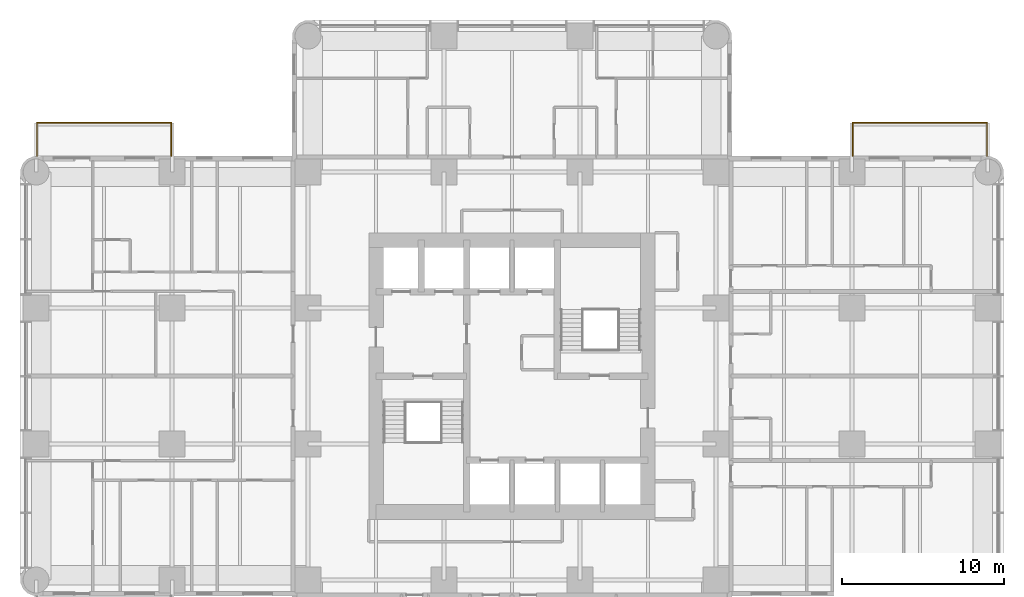
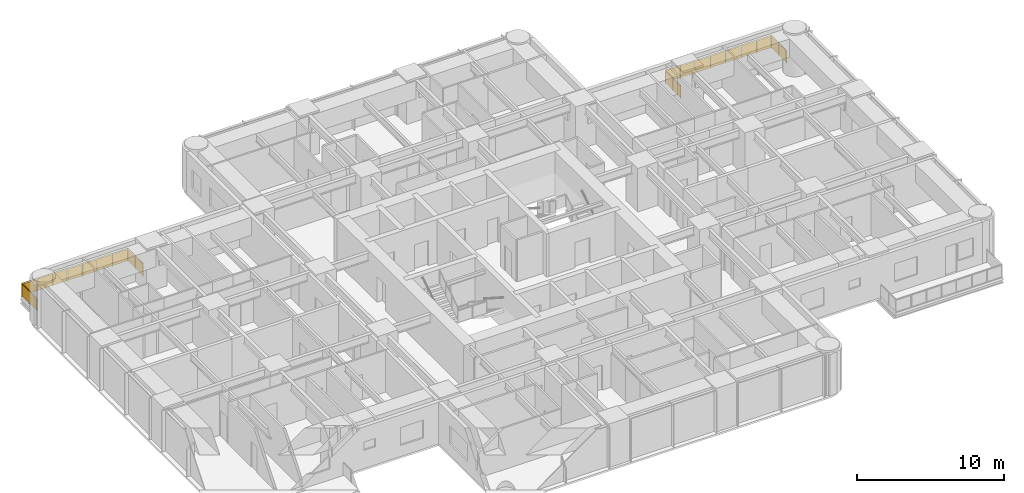
# One storey, part 14 of 14: 2 railings.
"""IFC4 building model written with IfcOpenShell, lengths in metres."""

import ifcopenshell
import ifcopenshell.guid

model = None  # the IFC model being written
_history = None  # IfcOwnerHistory: only IFC2X3 demands one
_inside = {}  # id of a spatial element -> (the spatial element, [elements in it])
_under = {}  # id of a project, library or spatial element -> (it, [spatial elements below it])
_declared = {}  # id of a project -> (the project, [libraries it declares])
_typed = {}  # id of a type object -> (the type object, [elements of that type])
_made_of = {}  # id of a material, layer set ... -> (it, [elements and type objects made of it])


def new_model(schema):
    """Start an empty IFC model of exactly this schema.

    Asked for "IFC4X3", IfcOpenShell would pick the latest addendum, in which some entities
    have other attributes; the version numbers below select the first issue.
    IFC2X3 requires an IfcOwnerHistory on every rooted entity: one is made here for all.
    """
    global model, _history
    if schema == "IFC4X3":
        model = ifcopenshell.file(schema_version=(4, 3, 0, 0))
    else:
        model = ifcopenshell.file(schema=schema)
    _inside.clear()
    _under.clear()
    _declared.clear()
    _typed.clear()
    _made_of.clear()
    _history = None
    if model.schema == "IFC2X3":
        org = make("IfcOrganization", Name="unknown")
        user = make(
            "IfcPersonAndOrganization",
            ThePerson=make("IfcPerson", FamilyName="unknown"),
            TheOrganization=org,
        )
        app = make(
            "IfcApplication",
            ApplicationDeveloper=org,
            Version="unknown",
            ApplicationFullName="unknown",
            ApplicationIdentifier="unknown",
        )
        _history = make(
            "IfcOwnerHistory",
            OwningUser=user,
            OwningApplication=app,
            ChangeAction="ADDED",
            CreationDate=0,
        )
    return model


def make(cls, **values):
    """One entity of the class cls with the attributes given. An attribute that is None is left unset."""
    return model.create_entity(
        cls, **{name: value for name, value in values.items() if value is not None}
    )


def rooted(cls, **values):
    """An entity with a GlobalId (a new one), such as an element, a storey or a relation."""
    return make(cls, GlobalId=ifcopenshell.guid.new(), OwnerHistory=_history, **values)


def si_unit(unit_type, name, prefix=None):
    """IfcSIUnit, for example si_unit("LENGTHUNIT", "METRE", prefix="MILLI")."""
    return make("IfcSIUnit", UnitType=unit_type, Prefix=prefix, Name=name)


def assignment(units):
    """IfcUnitAssignment: the units of a project."""
    return None if units is None else make("IfcUnitAssignment", Units=units)


def point(xyz):
    """IfcCartesianPoint."""
    return None if xyz is None else make("IfcCartesianPoint", Coordinates=xyz)


def direction(xyz):
    """IfcDirection."""
    return None if xyz is None else make("IfcDirection", DirectionRatios=xyz)


def frame(location, z_axis=None, x_axis=None):
    """IfcAxis2Placement3D, a coordinate frame: its origin and axes. An axis left out is left unset."""
    return make(
        "IfcAxis2Placement3D",
        Location=point(location),
        Axis=direction(z_axis),
        RefDirection=direction(x_axis),
    )


def frame_2d(location, x_axis=None):
    """IfcAxis2Placement2D, a coordinate frame in the plane: its origin and x axis."""
    return make(
        "IfcAxis2Placement2D", Location=point(location), RefDirection=direction(x_axis)
    )


def origin():
    """The frame at (0, 0, 0) with its axes left unset."""
    return frame((0.0, 0.0, 0.0))


def origin_2d():
    """The frame at (0, 0) in the plane with its x axis left unset."""
    return frame_2d((0.0, 0.0))


def place(relative_to, where):
    """IfcLocalPlacement: puts the frame where relative to a parent placement (None: the world)."""
    return make(
        "IfcLocalPlacement", PlacementRelTo=relative_to, RelativePlacement=where
    )


def context(
    kind, dimensions, precision=None, world=None, true_north=None, identifier=None
):
    """IfcGeometricRepresentationContext, for example the 3D "Model" context."""
    return make(
        "IfcGeometricRepresentationContext",
        ContextIdentifier=identifier,
        ContextType=kind,
        CoordinateSpaceDimension=dimensions,
        Precision=precision,
        WorldCoordinateSystem=world,
        TrueNorth=true_north,
    )


def subcontext(parent, identifier, kind, view, scale=None):
    """IfcGeometricRepresentationSubContext, for example "Body" below "Model"."""
    return make(
        "IfcGeometricRepresentationSubContext",
        ContextIdentifier=identifier,
        ContextType=kind,
        ParentContext=parent,
        TargetScale=scale,
        TargetView=view,
    )


def project(units=None, contexts=None):
    """IfcProject with its units and contexts."""
    return rooted(
        "IfcProject",
        Name="project",
        RepresentationContexts=contexts,
        UnitsInContext=assignment(units),
    )


def spatial(cls, under=None, at=None, **own):
    """A site, building, storey or space (cls), placed at a placement, below another one or the project."""
    s = rooted(cls, ObjectPlacement=at, **own)
    if under is not None:
        _under.setdefault(under.id(), (under, []))[1].append(s)
    return s


def polyline(points):
    """IfcPolyline through the points."""
    return make("IfcPolyline", Points=[point(p) for p in points])


def profile(cls, at=None, kind="AREA", **sizes):
    """A parametric profile (cls). Its sizes go by their IFC names, for example OverallWidth=200.0."""
    return make(cls, ProfileType=kind, Position=at, **sizes)


def circle(**sizes):
    """IfcCircleProfileDef."""
    return profile("IfcCircleProfileDef", **sizes)


def outline(outer, holes=None, kind="AREA"):
    """IfcArbitraryClosedProfileDef: a profile drawn as a closed curve; with holes, ...WithVoids."""
    if holes is None:
        return make("IfcArbitraryClosedProfileDef", ProfileType=kind, OuterCurve=outer)
    return make(
        "IfcArbitraryProfileDefWithVoids",
        ProfileType=kind,
        OuterCurve=outer,
        InnerCurves=holes,
    )


def extrude(swept, where, along, depth):
    """IfcExtrudedAreaSolid: the profile swept, set in the frame where, extruded along a direction by depth."""
    return make(
        "IfcExtrudedAreaSolid",
        SweptArea=swept,
        Position=where,
        ExtrudedDirection=direction(along),
        Depth=depth,
    )


def shape(context_of_items, identifier, shape_type, items):
    """IfcShapeRepresentation: the items that make up one representation, for example the "Body"."""
    return make(
        "IfcShapeRepresentation",
        ContextOfItems=context_of_items,
        RepresentationIdentifier=identifier,
        RepresentationType=shape_type,
        Items=items,
    )


def material(Name=None, Category=None):
    """IfcMaterial."""
    return make("IfcMaterial", Name=Name, Category=Category)


def constituent(of_material, Name=None, Category=None, fraction=None):
    """IfcMaterialConstituent: one of the materials an element consists of."""
    return make(
        "IfcMaterialConstituent",
        Name=Name,
        Material=of_material,
        Fraction=fraction,
        Category=Category,
    )


def constituent_set(constituents=None, Name=None):
    """IfcMaterialConstituentSet."""
    return make(
        "IfcMaterialConstituentSet", Name=Name, MaterialConstituents=constituents
    )


def made_of(thing, what):
    """Note that an element or type object is made of a material, layer set ...; save() writes the relation."""
    if what is not None:
        _made_of.setdefault(what.id(), (what, []))[1].append(thing)
    return thing


def type_object(cls, material=None, **own):
    """A type object (cls), such as IfcWallType, which elements share."""
    return made_of(rooted(cls, **own), material)


def element(
    cls,
    number,
    at=None,
    inside=None,
    cuts=None,
    type_object=None,
    material=None,
    context=None,
    identifier="Body",
    shape_type=None,
    held_by="IfcProductDefinitionShape",
    body=None,
    shapes=None,
    **own,
):
    """One element of the class cls, such as IfcWall. Its Tag is "e" and its number.

    at: its placement. inside: the storey or other place that contains it. cuts: it is an
    opening in that element (IfcRelVoidsElement). A single representation is given by context,
    identifier, shape_type and body (its items); several are given by shapes. held_by: the class
    of the entity that holds the representations. save() writes the other relations.
    """
    e = rooted(cls, Tag="e%d" % number, ObjectPlacement=at, **own)
    if body is not None:
        shapes = [shape(context, identifier, shape_type, body)]
    if shapes is not None:
        e.Representation = make(held_by, Representations=shapes)
    if inside is not None:
        _inside.setdefault(inside.id(), (inside, []))[1].append(e)
    if cuts is not None:
        rooted(
            "IfcRelVoidsElement", RelatingBuildingElement=cuts, RelatedOpeningElement=e
        )
    if type_object is not None:
        _typed.setdefault(type_object.id(), (type_object, []))[1].append(e)
    return made_of(e, material)


def aggregate(whole, parts):
    """IfcRelAggregates: a whole, such as a stair, and the parts it consists of."""
    return rooted("IfcRelAggregates", RelatingObject=whole, RelatedObjects=parts)


def save(model, path):
    """Write the relations noted so far, then the file.

    IfcRelAggregates (storeys below a building ...), IfcRelContainedInSpatialStructure (elements
    in a storey), IfcRelDefinesByType, IfcRelAssociatesMaterial and IfcRelDeclares: one each for
    every whole, place, type object, material and project.
    """
    for whole, parts in _under.values():
        aggregate(whole, parts)
    for where, things in _inside.values():
        rooted(
            "IfcRelContainedInSpatialStructure",
            RelatedElements=things,
            RelatingStructure=where,
        )
    for kind, things in _typed.values():
        rooted("IfcRelDefinesByType", RelatedObjects=things, RelatingType=kind)
    for what, things in _made_of.values():
        rooted("IfcRelAssociatesMaterial", RelatedObjects=things, RelatingMaterial=what)
    for by, libraries in _declared.values():
        rooted("IfcRelDeclares", RelatingContext=by, RelatedDefinitions=libraries)
    model.write(path)


model = new_model("IFC4")

# Units and contexts
model_context = context("Model", 3, precision=1e-05, world=origin(), true_north=direction((0.0, 1.0)))
body_context = subcontext(model_context, "Body", "Model", "MODEL_VIEW")
ifc_project = project(units=[si_unit("LENGTHUNIT", "METRE"), si_unit("AREAUNIT", "SQUARE_METRE"), si_unit("VOLUMEUNIT", "CUBIC_METRE"), si_unit("PLANEANGLEUNIT", "RADIAN"), si_unit("MASSUNIT", "GRAM", prefix="KILO")], contexts=[model_context])

# Site, building, storey
site_placement = place(None, origin())
site = spatial("IfcSite", under=ifc_project, at=site_placement, CompositionType="ELEMENT")
building_placement = place(site_placement, origin())
building = spatial("IfcBuilding", under=site, at=building_placement, Name="Torre Alcanfor", CompositionType="ELEMENT")
storey_placement = place(building_placement, frame((0.0, 0.0, 166.5)))
storey = spatial("IfcBuildingStorey", under=building, at=storey_placement, Name="L43", CompositionType="ELEMENT", Elevation=166.5)

# Railings
ifc_material_1 = material(Name="Laminated safety glass", Category="glass")
ifc_constituent_1 = constituent(ifc_material_1, Name="Infill")
ifc_material_2 = material(Name="Stainless steel ASTM A554 Grade MT 316L tube", Category="steel")
ifc_constituent_2 = constituent(ifc_material_2, Name="Posts and rail")
ifc_constituent_set = constituent_set(constituents=[ifc_constituent_1, ifc_constituent_2], Name="Balcony guard glass 1100")
railing_type = type_object("IfcRailingType", Name="Balcony guard glass 1100", PredefinedType="BALUSTRADE", material=ifc_constituent_set)
railing_1_placement = place(storey_placement, frame((50.449951171875, 43.0, 0.0)))
element("IfcRailing", 1, at=railing_1_placement, inside=storey, type_object=railing_type, Name="Balcony guard L43-E1", PredefinedType="BALUSTRADE", context=body_context, shape_type="SweptSolid", body=[
    extrude(circle(Radius=0.02392578125, at=origin_2d()), frame((0.0, 0.0, 1.076171875), z_axis=(0.0, 1.0, 0.0), x_axis=(-1.0, 0.0, 0.0)), (0.0, 0.0, 1.0), 2.050048828125),
    extrude(circle(Radius=0.02392578125, at=origin_2d()), frame((0.0, 2.050048828125, 1.076171875), z_axis=(1.0, 0.0, 0.0), x_axis=(0.0, 1.0, 0.0)), (0.0, 0.0, 1.0), 8.300048828125),
    extrude(circle(Radius=0.02392578125, at=origin_2d()), frame((8.300048828125, 2.050048828125, 1.076171875), z_axis=(0.0, -1.0, 0.0), x_axis=(1.0, 0.0, 0.0)), (0.0, 0.0, 1.0), 2.050048828125),
    extrude(circle(Radius=0.02099609375, at=origin_2d()), origin(), (0.0, 0.0, 1.0), 1.052001953125),
    extrude(circle(Radius=0.02099609375, at=origin_2d()), frame((0.0, 1.02490234375, 0.0)), (0.0, 0.0, 1.0), 1.052001953125),
    extrude(circle(Radius=0.02099609375, at=origin_2d()), frame((0.0, 2.050048828125, 0.0)), (0.0, 0.0, 1.0), 1.052001953125),
    extrude(circle(Radius=0.02099609375, at=origin_2d()), frame((1.185791015625, 2.050048828125, 0.0)), (0.0, 0.0, 1.0), 1.052001953125),
    extrude(circle(Radius=0.02099609375, at=origin_2d()), frame((2.371337890625, 2.050048828125, 0.0)), (0.0, 0.0, 1.0), 1.052001953125),
    extrude(circle(Radius=0.02099609375, at=origin_2d()), frame((3.55712890625, 2.050048828125, 0.0)), (0.0, 0.0, 1.0), 1.052001953125),
    extrude(circle(Radius=0.02099609375, at=origin_2d()), frame((4.742919921875, 2.050048828125, 0.0)), (0.0, 0.0, 1.0), 1.052001953125),
    extrude(circle(Radius=0.02099609375, at=origin_2d()), frame((5.9287109375, 2.050048828125, 0.0)), (0.0, 0.0, 1.0), 1.052001953125),
    extrude(circle(Radius=0.02099609375, at=origin_2d()), frame((7.1142578125, 2.050048828125, 0.0)), (0.0, 0.0, 1.0), 1.052001953125),
    extrude(circle(Radius=0.02099609375, at=origin_2d()), frame((8.300048828125, 2.050048828125, 0.0)), (0.0, 0.0, 1.0), 1.052001953125),
    extrude(circle(Radius=0.02099609375, at=origin_2d()), frame((8.300048828125, 1.02490234375, 0.0)), (0.0, 0.0, 1.0), 1.052001953125),
    extrude(circle(Radius=0.02099609375, at=origin_2d()), frame((8.300048828125, 0.0, 0.0)), (0.0, 0.0, 1.0), 1.052001953125),
    extrude(outline(polyline([(0.041015625, 0.050048828125), (0.984130859375, 0.050048828125), (0.984130859375, 1.001953125), (0.041015625, 1.001953125), (0.041015625, 0.050048828125)])), frame((-0.005859375, 0.0, 0.0), z_axis=(1.0, 0.0, 0.0), x_axis=(0.0, 1.0, 0.0)), (0.0, 0.0, 1.0), 0.011962890625),
    extrude(outline(polyline([(1.06591796875, 0.050048828125), (2.009033203125, 0.050048828125), (2.009033203125, 1.001953125), (1.06591796875, 1.001953125), (1.06591796875, 0.050048828125)])), frame((-0.005859375, 0.0, 0.0), z_axis=(1.0, 0.0, 0.0), x_axis=(0.0, 1.0, 0.0)), (0.0, 0.0, 1.0), 0.011962890625),
    extrude(outline(polyline([(0.041015625, 0.050048828125), (1.144775390625, 0.050048828125), (1.144775390625, 1.001953125), (0.041015625, 1.001953125), (0.041015625, 0.050048828125)])), frame((0.0, 2.05615234375, 0.0), z_axis=(0.0, -1.0, 0.0), x_axis=(1.0, 0.0, 0.0)), (0.0, 0.0, 1.0), 0.011962890625),
    extrude(outline(polyline([(1.226806640625, 0.050048828125), (2.330322265625, 0.050048828125), (2.330322265625, 1.001953125), (1.226806640625, 1.001953125), (1.226806640625, 0.050048828125)])), frame((0.0, 2.05615234375, 0.0), z_axis=(0.0, -1.0, 0.0), x_axis=(1.0, 0.0, 0.0)), (0.0, 0.0, 1.0), 0.011962890625),
    extrude(outline(polyline([(2.412353515625, 0.050048828125), (3.51611328125, 0.050048828125), (3.51611328125, 1.001953125), (2.412353515625, 1.001953125), (2.412353515625, 0.050048828125)])), frame((0.0, 2.05615234375, 0.0), z_axis=(0.0, -1.0, 0.0), x_axis=(1.0, 0.0, 0.0)), (0.0, 0.0, 1.0), 0.011962890625),
    extrude(outline(polyline([(3.59814453125, 0.050048828125), (4.701904296875, 0.050048828125), (4.701904296875, 1.001953125), (3.59814453125, 1.001953125), (3.59814453125, 0.050048828125)])), frame((0.0, 2.05615234375, 0.0), z_axis=(0.0, -1.0, 0.0), x_axis=(1.0, 0.0, 0.0)), (0.0, 0.0, 1.0), 0.011962890625),
    extrude(outline(polyline([(4.783935546875, 0.050048828125), (5.8876953125, 0.050048828125), (5.8876953125, 1.001953125), (4.783935546875, 1.001953125), (4.783935546875, 0.050048828125)])), frame((0.0, 2.05615234375, 0.0), z_axis=(0.0, -1.0, 0.0), x_axis=(1.0, 0.0, 0.0)), (0.0, 0.0, 1.0), 0.011962890625),
    extrude(outline(polyline([(5.9697265625, 0.050048828125), (7.0732421875, 0.050048828125), (7.0732421875, 1.001953125), (5.9697265625, 1.001953125), (5.9697265625, 0.050048828125)])), frame((0.0, 2.05615234375, 0.0), z_axis=(0.0, -1.0, 0.0), x_axis=(1.0, 0.0, 0.0)), (0.0, 0.0, 1.0), 0.011962890625),
    extrude(outline(polyline([(7.1552734375, 0.050048828125), (8.259033203125, 0.050048828125), (8.259033203125, 1.001953125), (7.1552734375, 1.001953125), (7.1552734375, 0.050048828125)])), frame((0.0, 2.05615234375, 0.0), z_axis=(0.0, -1.0, 0.0), x_axis=(1.0, 0.0, 0.0)), (0.0, 0.0, 1.0), 0.011962890625),
    extrude(outline(polyline([(0.041015625, 0.050048828125), (0.984130859375, 0.050048828125), (0.984130859375, 1.001953125), (0.041015625, 1.001953125), (0.041015625, 0.050048828125)])), frame((8.30615234375, 2.050048828125, 0.0), z_axis=(-1.0, 0.0, 0.0), x_axis=(0.0, -1.0, 0.0)), (0.0, 0.0, 1.0), 0.011962890625),
    extrude(outline(polyline([(1.06591796875, 0.050048828125), (2.009033203125, 0.050048828125), (2.009033203125, 1.001953125), (1.06591796875, 1.001953125), (1.06591796875, 0.050048828125)])), frame((8.30615234375, 2.050048828125, 0.0), z_axis=(-1.0, 0.0, 0.0), x_axis=(0.0, -1.0, 0.0)), (0.0, 0.0, 1.0), 0.011962890625),
])
railing_2_placement = place(storey_placement, frame((8.35009765625, 43.0, 0.0)))
element("IfcRailing", 2, at=railing_2_placement, inside=storey, type_object=railing_type, Name="Balcony guard L43-W2", PredefinedType="BALUSTRADE", context=body_context, shape_type="SweptSolid", body=[
    extrude(circle(Radius=0.02392578125, at=origin_2d()), frame((0.0, 0.0, 1.076171875), z_axis=(0.0, 1.0, 0.0), x_axis=(-1.0, 0.0, 0.0)), (0.0, 0.0, 1.0), 2.050048828125),
    extrude(circle(Radius=0.02392578125, at=origin_2d()), frame((0.0, 2.050048828125, 1.076171875), z_axis=(-1.0, 0.0, 0.0), x_axis=(0.0, -1.0, 0.0)), (0.0, 0.0, 1.0), 8.300048828125),
    extrude(circle(Radius=0.02392578125, at=origin_2d()), frame((-8.300048828125, 2.050048828125, 1.076171875), z_axis=(0.0, -1.0, 0.0), x_axis=(1.0, 0.0, 0.0)), (0.0, 0.0, 1.0), 2.050048828125),
    extrude(circle(Radius=0.02099609375, at=origin_2d()), origin(), (0.0, 0.0, 1.0), 1.052001953125),
    extrude(circle(Radius=0.02099609375, at=origin_2d()), frame((0.0, 1.02490234375, 0.0)), (0.0, 0.0, 1.0), 1.052001953125),
    extrude(circle(Radius=0.02099609375, at=origin_2d()), frame((0.0, 2.050048828125, 0.0)), (0.0, 0.0, 1.0), 1.052001953125),
    extrude(circle(Radius=0.02099609375, at=origin_2d()), frame((-1.185791015625, 2.050048828125, 0.0)), (0.0, 0.0, 1.0), 1.052001953125),
    extrude(circle(Radius=0.02099609375, at=origin_2d()), frame((-2.371337890625, 2.050048828125, 0.0)), (0.0, 0.0, 1.0), 1.052001953125),
    extrude(circle(Radius=0.02099609375, at=origin_2d()), frame((-3.55712890625, 2.050048828125, 0.0)), (0.0, 0.0, 1.0), 1.052001953125),
    extrude(circle(Radius=0.02099609375, at=origin_2d()), frame((-4.742919921875, 2.050048828125, 0.0)), (0.0, 0.0, 1.0), 1.052001953125),
    extrude(circle(Radius=0.02099609375, at=origin_2d()), frame((-5.9287109375, 2.050048828125, 0.0)), (0.0, 0.0, 1.0), 1.052001953125),
    extrude(circle(Radius=0.02099609375, at=origin_2d()), frame((-7.1142578125, 2.050048828125, 0.0)), (0.0, 0.0, 1.0), 1.052001953125),
    extrude(circle(Radius=0.02099609375, at=origin_2d()), frame((-8.300048828125, 2.050048828125, 0.0)), (0.0, 0.0, 1.0), 1.052001953125),
    extrude(circle(Radius=0.02099609375, at=origin_2d()), frame((-8.300048828125, 1.02490234375, 0.0)), (0.0, 0.0, 1.0), 1.052001953125),
    extrude(circle(Radius=0.02099609375, at=origin_2d()), frame((-8.300048828125, 0.0, 0.0)), (0.0, 0.0, 1.0), 1.052001953125),
    extrude(outline(polyline([(0.041015625, 0.050048828125), (0.984130859375, 0.050048828125), (0.984130859375, 1.001953125), (0.041015625, 1.001953125), (0.041015625, 0.050048828125)])), frame((-0.005859375, 0.0, 0.0), z_axis=(1.0, 0.0, 0.0), x_axis=(0.0, 1.0, 0.0)), (0.0, 0.0, 1.0), 0.011962890625),
    extrude(outline(polyline([(1.06591796875, 0.050048828125), (2.009033203125, 0.050048828125), (2.009033203125, 1.001953125), (1.06591796875, 1.001953125), (1.06591796875, 0.050048828125)])), frame((-0.005859375, 0.0, 0.0), z_axis=(1.0, 0.0, 0.0), x_axis=(0.0, 1.0, 0.0)), (0.0, 0.0, 1.0), 0.011962890625),
    extrude(outline(polyline([(0.041015625, 0.050048828125), (1.144775390625, 0.050048828125), (1.144775390625, 1.001953125), (0.041015625, 1.001953125), (0.041015625, 0.050048828125)])), frame((0.0, 2.0439453125, 0.0), z_axis=(0.0, 1.0, 0.0), x_axis=(-1.0, 0.0, 0.0)), (0.0, 0.0, 1.0), 0.011962890625),
    extrude(outline(polyline([(1.226806640625, 0.050048828125), (2.330322265625, 0.050048828125), (2.330322265625, 1.001953125), (1.226806640625, 1.001953125), (1.226806640625, 0.050048828125)])), frame((0.0, 2.0439453125, 0.0), z_axis=(0.0, 1.0, 0.0), x_axis=(-1.0, 0.0, 0.0)), (0.0, 0.0, 1.0), 0.011962890625),
    extrude(outline(polyline([(2.412353515625, 0.050048828125), (3.51611328125, 0.050048828125), (3.51611328125, 1.001953125), (2.412353515625, 1.001953125), (2.412353515625, 0.050048828125)])), frame((0.0, 2.0439453125, 0.0), z_axis=(0.0, 1.0, 0.0), x_axis=(-1.0, 0.0, 0.0)), (0.0, 0.0, 1.0), 0.011962890625),
    extrude(outline(polyline([(3.59814453125, 0.050048828125), (4.701904296875, 0.050048828125), (4.701904296875, 1.001953125), (3.59814453125, 1.001953125), (3.59814453125, 0.050048828125)])), frame((0.0, 2.0439453125, 0.0), z_axis=(0.0, 1.0, 0.0), x_axis=(-1.0, 0.0, 0.0)), (0.0, 0.0, 1.0), 0.011962890625),
    extrude(outline(polyline([(4.783935546875, 0.050048828125), (5.8876953125, 0.050048828125), (5.8876953125, 1.001953125), (4.783935546875, 1.001953125), (4.783935546875, 0.050048828125)])), frame((0.0, 2.0439453125, 0.0), z_axis=(0.0, 1.0, 0.0), x_axis=(-1.0, 0.0, 0.0)), (0.0, 0.0, 1.0), 0.011962890625),
    extrude(outline(polyline([(5.9697265625, 0.050048828125), (7.0732421875, 0.050048828125), (7.0732421875, 1.001953125), (5.9697265625, 1.001953125), (5.9697265625, 0.050048828125)])), frame((0.0, 2.0439453125, 0.0), z_axis=(0.0, 1.0, 0.0), x_axis=(-1.0, 0.0, 0.0)), (0.0, 0.0, 1.0), 0.011962890625),
    extrude(outline(polyline([(7.1552734375, 0.050048828125), (8.259033203125, 0.050048828125), (8.259033203125, 1.001953125), (7.1552734375, 1.001953125), (7.1552734375, 0.050048828125)])), frame((0.0, 2.0439453125, 0.0), z_axis=(0.0, 1.0, 0.0), x_axis=(-1.0, 0.0, 0.0)), (0.0, 0.0, 1.0), 0.011962890625),
    extrude(outline(polyline([(0.041015625, 0.050048828125), (0.984130859375, 0.050048828125), (0.984130859375, 1.001953125), (0.041015625, 1.001953125), (0.041015625, 0.050048828125)])), frame((-8.2939453125, 2.050048828125, 0.0), z_axis=(-1.0, 0.0, 0.0), x_axis=(0.0, -1.0, 0.0)), (0.0, 0.0, 1.0), 0.011962890625),
    extrude(outline(polyline([(1.06591796875, 0.050048828125), (2.009033203125, 0.050048828125), (2.009033203125, 1.001953125), (1.06591796875, 1.001953125), (1.06591796875, 0.050048828125)])), frame((-8.2939453125, 2.050048828125, 0.0), z_axis=(-1.0, 0.0, 0.0), x_axis=(0.0, -1.0, 0.0)), (0.0, 0.0, 1.0), 0.011962890625),
])

save(model, "model.ifc")
